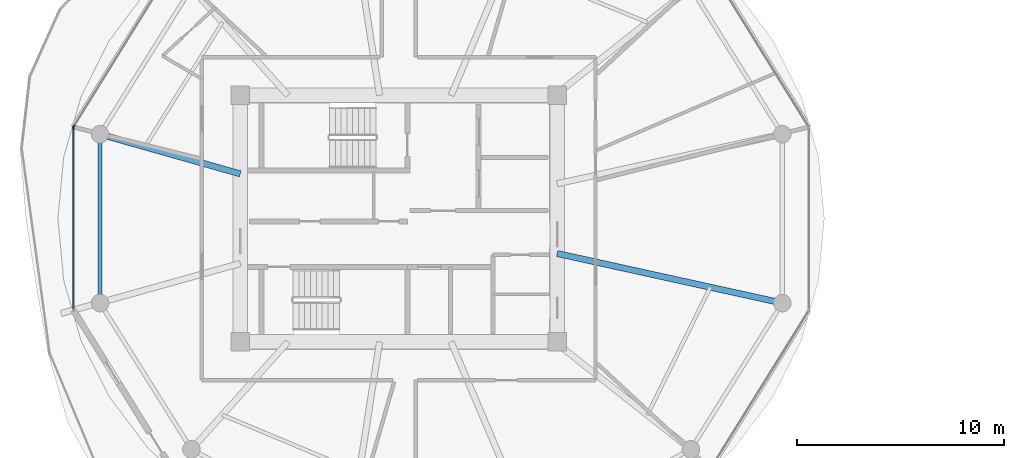
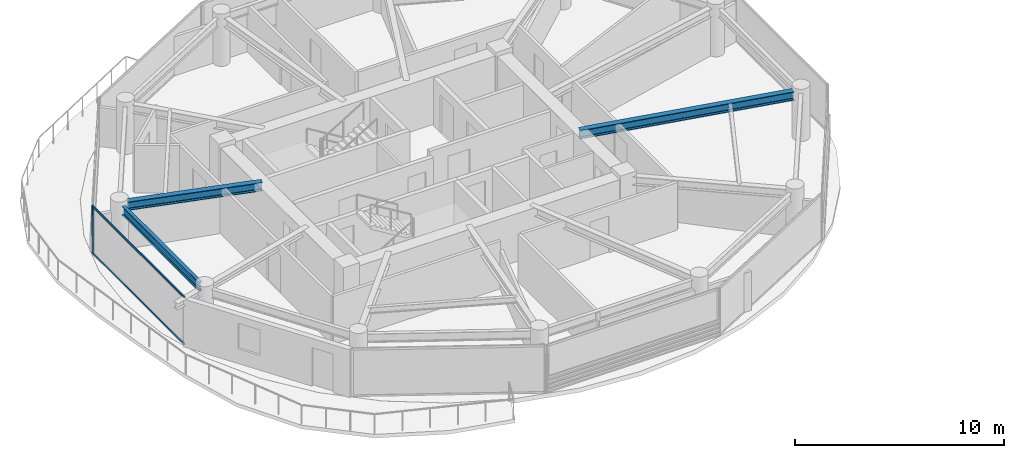
# One storey, part 3 of 23: 4 members, 3 beams, 2 elements without a shape of their own.
"""IFC4 building model written with IfcOpenShell, lengths in metres."""

from ifc_helpers import new_model, si_unit, direction, frame, origin, origin_2d, place, context, subcontext, project, spatial, rectangle, i_section, extrude, source, transform, mapped, material, layer, layer_set, material_profile, profile_set, type_object, type_shapes, element, aggregate, save


model = new_model("IFC4")

# Units and contexts
model_context = context("Model", 3, precision=1e-05, world=origin(), true_north=direction((0.0, 1.0)))
body_context = subcontext(model_context, "Body", "Model", "MODEL_VIEW")
ifc_project = project(units=[si_unit("LENGTHUNIT", "METRE"), si_unit("AREAUNIT", "SQUARE_METRE"), si_unit("VOLUMEUNIT", "CUBIC_METRE"), si_unit("PLANEANGLEUNIT", "RADIAN"), si_unit("MASSUNIT", "GRAM", prefix="KILO")], contexts=[model_context])

# Site, building, storey
site_placement = place(None, origin())
site = spatial("IfcSite", under=ifc_project, at=site_placement, CompositionType="ELEMENT")
building_placement = place(site_placement, origin())
building = spatial("IfcBuilding", under=site, at=building_placement, Name="Norrkilde Senior Care Towers", CompositionType="ELEMENT")
storey_placement = place(building_placement, frame((0.0, 0.0, 93.199951171875)))
storey = spatial("IfcBuildingStorey", under=building, at=storey_placement, Name="L28", CompositionType="ELEMENT", Elevation=93.199951171875)

# Beams
ifc_material_1 = material(Name="Steel S355", Category="steel")
ifc_material_profile_1 = material_profile(ifc_material_1, i_section(OverallWidth=0.300048828125, OverallDepth=0.5, WebThickness=0.014404296875, FlangeThickness=0.028076171875, FilletRadius=0.027099609375, at=origin_2d()), Name="HEB 500")
ifc_profile_set_1 = profile_set([ifc_material_profile_1], Name="Steel S355")
beam_type_1 = type_object("IfcBeamType", Name="Radial Floor Beam Z2 HEB500", PredefinedType="BEAM", material=ifc_profile_set_1)
shared_shape_1 = source(origin(), body_context, "Body", "SweptSolid", [
    extrude(i_section(OverallWidth=0.300048828125, OverallDepth=0.5, WebThickness=0.014404296875, FlangeThickness=0.028076171875, FilletRadius=0.027099609375, at=origin_2d()), origin(), (0.0, 0.0, 1.0), 10.744384765625),
])
beam_1_placement = place(storey_placement, frame((-20.35009765625, -1.683837890625, 2.5400390625), z_axis=(0.976618711422, -0.214978818724, 0.0), x_axis=(0.214978818724, 0.976618711422, 0.0)))
element("IfcBeam", 1, at=beam_1_placement, inside=storey, type_object=beam_type_1, Name="L28 Drum W Radial Floor Beam 12", PredefinedType="BEAM", context=body_context, shape_type="MappedRepresentation", body=[
    mapped(shared_shape_1, transform((0.0, 0.0, 0.0), x_axis=(1.0, 0.0, 0.0), y_axis=(0.0, 1.0, 0.0), z_axis=(0.0, 0.0, 1.0), scale=1.0)),
])
ifc_material_profile_2 = material_profile(ifc_material_1, i_section(OverallWidth=0.199951171875, OverallDepth=0.5, WebThickness=0.01025390625, FlangeThickness=0.01611328125, FilletRadius=0.02099609375, at=origin_2d()), Name="IPE 500")
ifc_profile_set_2 = profile_set([ifc_material_profile_2], Name="Steel S355")
beam_type_2 = type_object("IfcBeamType", Name="Perimeter Ring Spandrel Z2 IPE500", PredefinedType="SPANDREL", material=ifc_profile_set_2)
shared_shape_2 = source(origin(), body_context, "Body", "SweptSolid", [
    extrude(i_section(OverallWidth=0.199951171875, OverallDepth=0.5, WebThickness=0.01025390625, FlangeThickness=0.01611328125, FilletRadius=0.02099609375, at=origin_2d()), origin(), (0.0, 0.0, 1.0), 7.3828125),
])
type_shapes(beam_type_2, [shared_shape_2])
beam_2_placement = place(storey_placement, frame((-42.4189453125, 3.69140625, 2.5400390625), z_axis=(0.0, -1.0, 0.0), x_axis=(1.0, 0.0, 0.0)))
element("IfcBeam", 2, at=beam_2_placement, inside=storey, type_object=beam_type_2, Name="L28 Drum W Perimeter Spandrel 06", PredefinedType="SPANDREL", context=body_context, shape_type="MappedRepresentation", body=[
    mapped(shared_shape_2, transform((0.0, 0.0, 0.0), x_axis=(1.0, 0.0, 0.0), y_axis=(0.0, 1.0, 0.0), z_axis=(0.0, 0.0, 1.0), scale=1.0)),
])
shared_shape_3 = source(origin(), body_context, "Body", "SweptSolid", [
    extrude(i_section(OverallWidth=0.300048828125, OverallDepth=0.5, WebThickness=0.014404296875, FlangeThickness=0.028076171875, FilletRadius=0.027099609375, at=origin_2d()), origin(), (0.0, 0.0, 1.0), 6.6494140625),
])
type_shapes(beam_type_1, [shared_shape_1, shared_shape_3])
beam_3_placement = place(storey_placement, frame((-35.64990234375, 2.162841796875, 2.5400390625), z_axis=(-0.962289138357, 0.27202870106, 0.0), x_axis=(-0.27202870106, -0.962289138357, 0.0)))
element("IfcBeam", 3, at=beam_3_placement, inside=storey, type_object=beam_type_1, Name="L28 Drum W Radial Floor Beam 06", PredefinedType="BEAM", context=body_context, shape_type="MappedRepresentation", body=[
    mapped(shared_shape_3, transform((0.0, 0.0, 0.0), x_axis=(1.0, 0.0, 0.0), y_axis=(0.0, 1.0, 0.0), z_axis=(0.0, 0.0, 1.0), scale=1.0)),
])

# Curtain wall, member
ifc_material_2 = material(Name="Triple Low-E Insulated Glazing", Category="glass")
ifc_layer = layer(ifc_material_2, 0.195068359375)
ifc_layer_set = layer_set([ifc_layer], Name="Triple Low-E Insulated Glazing")
curtain_wall_type = type_object("IfcCurtainWallType", Name="CW3 Zone 2 Assisted Living Curtain Wall", PredefinedType="NOTDEFINED", material=ifc_layer_set)
curtain_wall_1_placement = place(storey_placement, origin())
curtain_wall_1 = element("IfcCurtainWall", 4, at=curtain_wall_1_placement, inside=storey, type_object=curtain_wall_type, Name="L28 Drum W Curtain Wall 04", PredefinedType="NOTDEFINED")
ifc_material_3 = material(Name="Anodised Aluminium", Category="aluminium")
ifc_material_profile_3 = material_profile(ifc_material_3, rectangle(XDim=0.06494140625, YDim=0.159912109375, at=origin_2d()), Name="ALU MULL 65x160")
ifc_profile_set_3 = profile_set([ifc_material_profile_3], Name="Anodised Aluminium")
member_type_1 = type_object("IfcMemberType", Name="Curtain Wall Mullion Z1-Z2 65x160", PredefinedType="MULLION", material=ifc_profile_set_3)
shared_shape_4 = source(origin(), body_context, "Body", "SweptSolid", [
    extrude(rectangle(XDim=0.06494140625, YDim=0.159912109375, at=origin_2d()), origin(), (0.0, 0.0, 1.0), 2.7900390625),
])
type_shapes(member_type_1, [shared_shape_4])
member_1_placement = place(storey_placement, frame((-43.6865234375, 4.4482421875, 0.0), z_axis=(0.0, 0.0, 1.0), x_axis=(-0.849410171862, 0.527733228002, 0.0)))
member_1 = element("IfcMember", 5, at=member_1_placement, type_object=member_type_1, Name="CW-3 mullion 1", PredefinedType="MULLION", context=body_context, shape_type="MappedRepresentation", body=[
    mapped(shared_shape_4, transform((0.0, 0.0, 0.0), x_axis=(1.0, 0.0, 0.0), y_axis=(0.0, 1.0, 0.0), z_axis=(0.0, 0.0, 1.0), scale=1.0)),
])
aggregate(curtain_wall_1, [member_1])

# Curtain wall, members
curtain_wall_2_placement = place(storey_placement, origin())
curtain_wall_2 = element("IfcCurtainWall", 6, at=curtain_wall_2_placement, inside=storey, type_object=curtain_wall_type, Name="L28 Drum W Curtain Wall 05", PredefinedType="NOTDEFINED")
member_2_placement = place(storey_placement, frame((-43.70361328125, 4.38818359375, 0.0), z_axis=(0.0, 0.0, 1.0), x_axis=(-1.0, 0.0, 0.0)))
member_2 = element("IfcMember", 7, at=member_2_placement, type_object=member_type_1, Name="CW-3 mullion 2", PredefinedType="MULLION", context=body_context, shape_type="MappedRepresentation", body=[
    mapped(shared_shape_4, transform((0.0, 0.0, 0.0), x_axis=(1.0, 0.0, 0.0), y_axis=(0.0, 1.0, 0.0), z_axis=(0.0, 0.0, 1.0), scale=1.0)),
])
ifc_material_profile_4 = material_profile(ifc_material_3, rectangle(XDim=0.06005859375, YDim=0.1201171875, at=origin_2d()), Name="ALU TRAN 60x120")
ifc_profile_set_4 = profile_set([ifc_material_profile_4], Name="Anodised Aluminium")
member_type_2 = type_object("IfcMemberType", Name="Curtain Wall Transom Typical 60x120", PredefinedType="USERDEFINED", material=ifc_profile_set_4)
shared_shape_5 = source(origin(), body_context, "Body", "SweptSolid", [
    extrude(rectangle(XDim=0.06005859375, YDim=0.1201171875, at=origin_2d()), origin(), (0.0, 0.0, 1.0), 8.71142578125),
])
type_shapes(member_type_2, [shared_shape_5])
member_3_placement = place(storey_placement, frame((-43.70361328125, -4.355712890625, 0.030029296875), z_axis=(0.0, 1.0, 0.0), x_axis=(-1.0, 0.0, 0.0)))
member_3 = element("IfcMember", 8, at=member_3_placement, type_object=member_type_2, Name="CW-3 transom 1.1", ObjectType="TRANSOM", PredefinedType="USERDEFINED", context=body_context, shape_type="MappedRepresentation", body=[
    mapped(shared_shape_5, transform((0.0, 0.0, 0.0), x_axis=(1.0, 0.0, 0.0), y_axis=(0.0, 1.0, 0.0), z_axis=(0.0, 0.0, 1.0), scale=1.0)),
])
member_4_placement = place(storey_placement, frame((-43.70361328125, -4.355712890625, 2.760009765625), z_axis=(0.0, 1.0, 0.0), x_axis=(-1.0, 0.0, 0.0)))
member_4 = element("IfcMember", 9, at=member_4_placement, type_object=member_type_2, Name="CW-3 transom 1.2", ObjectType="TRANSOM", PredefinedType="USERDEFINED", context=body_context, shape_type="MappedRepresentation", body=[
    mapped(shared_shape_5, transform((0.0, 0.0, 0.0), x_axis=(1.0, 0.0, 0.0), y_axis=(0.0, 1.0, 0.0), z_axis=(0.0, 0.0, 1.0), scale=1.0)),
])
aggregate(curtain_wall_2, [member_2, member_3, member_4])

save(model, "model.ifc")
